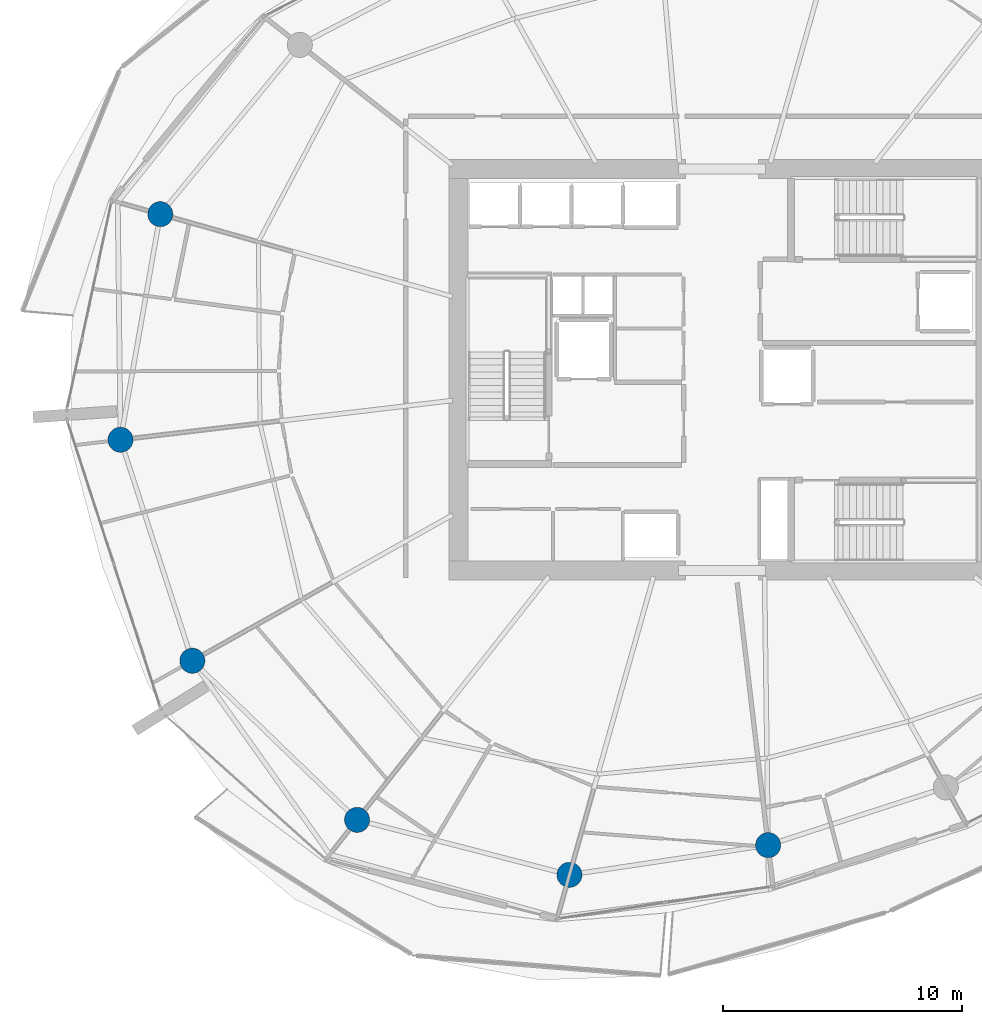
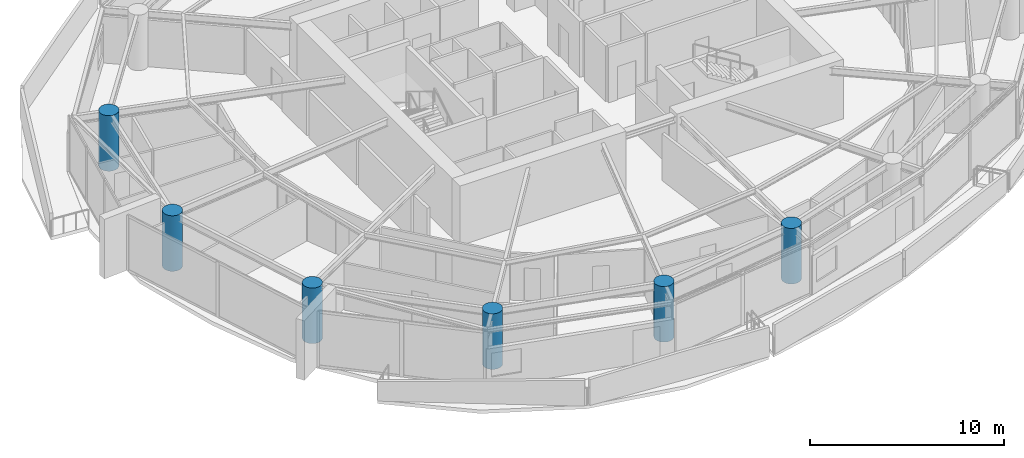
# One storey, part 1 of 20: 6 columns.
"""IFC4 building model written with IfcOpenShell, lengths in metres."""

from ifc_helpers import new_model, si_unit, direction, frame, origin, origin_2d, place, context, subcontext, project, spatial, circle, extrude, material, material_profile, profile_set, type_object, element, save


model = new_model("IFC4")

# Units and contexts
model_context = context("Model", 3, precision=1e-05, world=origin(), true_north=direction((0.0, 1.0)))
body_context = subcontext(model_context, "Body", "Model", "MODEL_VIEW")
ifc_project = project(units=[si_unit("LENGTHUNIT", "METRE"), si_unit("AREAUNIT", "SQUARE_METRE"), si_unit("VOLUMEUNIT", "CUBIC_METRE"), si_unit("PLANEANGLEUNIT", "RADIAN"), si_unit("MASSUNIT", "GRAM", prefix="KILO")], contexts=[model_context])

# Site, building, storey
site_placement = place(None, origin())
site = spatial("IfcSite", under=ifc_project, at=site_placement, CompositionType="ELEMENT")
building_placement = place(site_placement, origin())
building = spatial("IfcBuilding", under=site, at=building_placement, Name="Kazma Halo Residences", CompositionType="ELEMENT")
storey_placement = place(building_placement, frame((0.0, 0.0, 142.800048828125)))
storey = spatial("IfcBuildingStorey", under=building, at=storey_placement, Name="L35", CompositionType="ELEMENT", Elevation=142.800048828125)

# Columns
ifc_material = material(Name="Concrete C80/95", Category="concrete")
ifc_material_profile = material_profile(ifc_material, circle(Radius=0.52490234375, at=origin_2d()), Name="CIRC1050")
ifc_profile_set = profile_set([ifc_material_profile], Name="Concrete C80/95")
column_type = type_object("IfcColumnType", Name="COL-PERIM-1050", PredefinedType="COLUMN", material=ifc_profile_set)
for number, where, z_axis, x_axis, name in (
    (1, (24.93017578125, 48.50634765625, 0.0), (0.0, 0.0, 1.0), (1.0, 0.0, 0.0), "L35 perimeter ring column P07"),
    (2, (23.266845703125, 39.072509765625, 0.0), (0.0, 0.0, 1.0), (1.0, 0.0, 0.0), "L35 perimeter ring column P08"),
    (3, (26.269775390625, 29.83056640625, 0.0), (0.0, 0.0, 1.0), (1.0, 0.0, 0.0), "L35 perimeter ring column P09"),
    (4, (33.160400390625, 23.17626953125, 0.0), (0.0, 0.0, 1.0), (1.0, 0.0, 0.0), "L35 perimeter ring column P10"),
    (5, (42.04296875, 20.878173828125, 0.0), (0.0, 0.0, 1.0), (1.0, 0.0, 0.0), "L35 perimeter ring column P11"),
    (6, (50.35302734375, 22.118896484375, 0.0), (0.0, 0.0, 1.0), (1.0, 0.0, 0.0), "L35 perimeter ring column P12"),
):
    element("IfcColumn", number, at=place(storey_placement, frame(where, z_axis=z_axis, x_axis=x_axis)), inside=storey, type_object=column_type, Name=name, PredefinedType="COLUMN", context=body_context, shape_type="SweptSolid", body=[
        extrude(circle(Radius=0.52490234375, at=origin_2d()), origin(), (0.0, 0.0, 1.0), 3.5),
    ])

save(model, "model.ifc")
